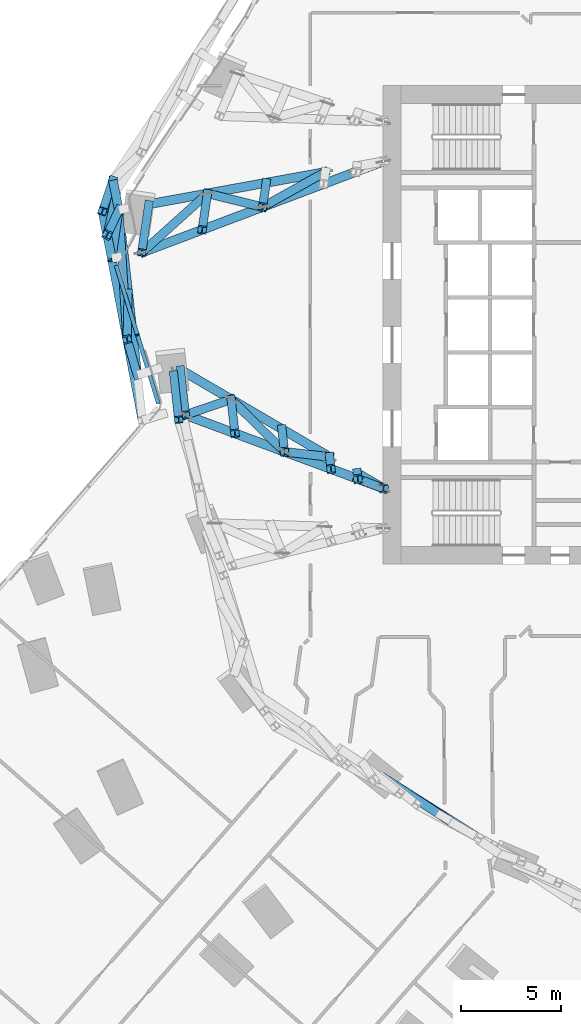
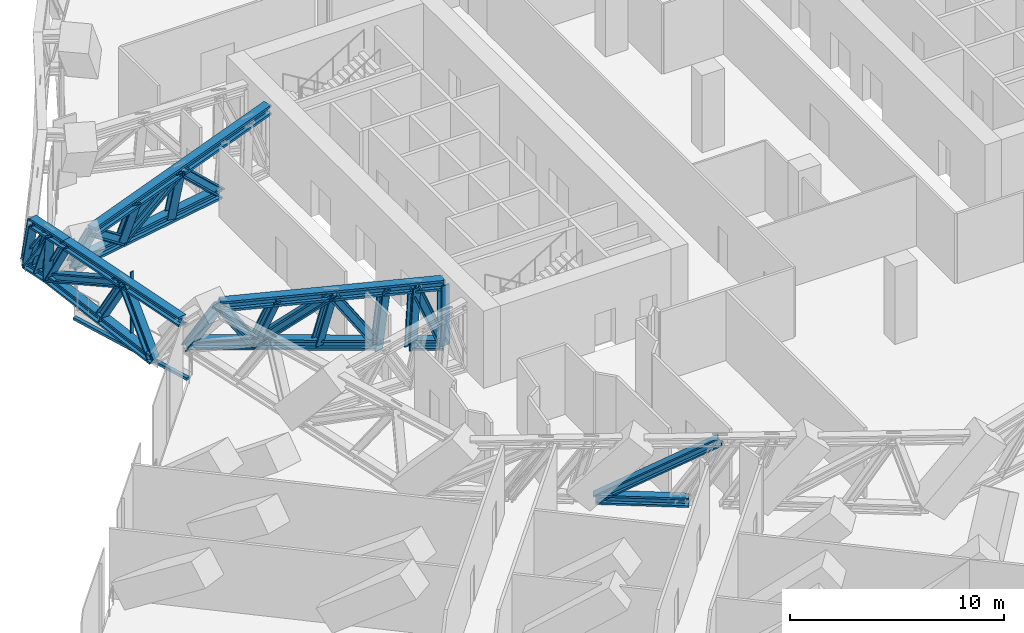
# One storey, part 7 of 34: 38 members, 1 element without a shape of its own.
"""IFC4 building model written with IfcOpenShell, lengths in metres."""

from ifc_helpers import new_model, si_unit, direction, frame, origin, origin_2d, place, context, subcontext, project, spatial, rectangle, i_section, extrude, material, material_profile, profile_set, type_object, element, aggregate, save


model = new_model("IFC4")

# Units and contexts
model_context = context("Model", 3, precision=1e-05, world=origin(), true_north=direction((0.0, 1.0)))
body_context = subcontext(model_context, "Body", "Model", "MODEL_VIEW")
ifc_project = project(units=[si_unit("LENGTHUNIT", "METRE"), si_unit("AREAUNIT", "SQUARE_METRE"), si_unit("VOLUMEUNIT", "CUBIC_METRE"), si_unit("PLANEANGLEUNIT", "RADIAN"), si_unit("MASSUNIT", "GRAM", prefix="KILO")], contexts=[model_context])

# Site, building, storey
site_placement = place(None, origin())
site = spatial("IfcSite", under=ifc_project, at=site_placement, CompositionType="ELEMENT")
building_placement = place(site_placement, origin())
building = spatial("IfcBuilding", under=site, at=building_placement, Name="Orlundy Tower", CompositionType="ELEMENT")
storey_placement = place(building_placement, frame((0.0, 0.0, 76.300048828125)))
storey = spatial("IfcBuildingStorey", under=building, at=storey_placement, Name="L18", CompositionType="ELEMENT", Elevation=76.300048828125)

# Members
ifc_material_1 = material(Name="Steel ASTM A992 Gr 50", Category="steel")
ifc_material_profile_1 = material_profile(ifc_material_1, i_section(OverallWidth=0.4423828125, OverallDepth=0.531494140625, WebThickness=0.06591796875, FlangeThickness=0.105712890625, at=origin_2d()), Name="W14X605")
ifc_profile_set_1 = profile_set([ifc_material_profile_1], Name="Steel ASTM A992 Gr 50")
member_type_1 = type_object("IfcMemberType", Name="BELT TRUSS chord W14X605", PredefinedType="CHORD", material=ifc_profile_set_1)
member_1_placement = place(storey_placement, frame((-19.1044921875, -22.6162109375, 0.28466796875), z_axis=(0.835836527574, -0.548978414122, 0.0), x_axis=(0.548978414122, 0.835836527574, 0.0)))
element("IfcMember", 1, at=member_1_placement, inside=storey, type_object=member_type_1, Name="Belt truss bottom chord BT-04", PredefinedType="CHORD", context=body_context, shape_type="SweptSolid", body=[
    extrude(i_section(OverallWidth=0.4423828125, OverallDepth=0.531494140625, WebThickness=0.06591796875, FlangeThickness=0.105712890625, at=origin_2d()), origin(), (0.0, 0.0, 1.0), 4.3720703125),
])
member_2_placement = place(storey_placement, frame((-32.548095703125, 7.258056640625, 0.28466796875), z_axis=(0.196423729676, -0.980519106606, 0.0), x_axis=(0.980519106606, 0.196423729676, 0.0)))
element("IfcMember", 2, at=member_2_placement, inside=storey, type_object=member_type_1, Name="Belt truss bottom chord BT-23B", PredefinedType="CHORD", context=body_context, shape_type="SweptSolid", body=[
    extrude(i_section(OverallWidth=0.4423828125, OverallDepth=0.531494140625, WebThickness=0.06591796875, FlangeThickness=0.105712890625, at=origin_2d()), origin(), (0.0, 0.0, 1.0), 1.5263671875),
])
member_3_placement = place(storey_placement, frame((-33.0771484375, 5.697265625, 3.715087890625), z_axis=(0.19642782885, -0.980518285425, 0.0), x_axis=(0.980518285425, 0.19642782885, 0.0)))
element("IfcMember", 3, at=member_3_placement, inside=storey, type_object=member_type_1, Name="Belt truss top chord BT-23B", PredefinedType="CHORD", context=body_context, shape_type="SweptSolid", body=[
    extrude(i_section(OverallWidth=0.4423828125, OverallDepth=0.531494140625, WebThickness=0.06591796875, FlangeThickness=0.105712890625, at=origin_2d()), origin(), (0.0, 0.0, 1.0), 2.409912109375),
])
member_4_placement = place(storey_placement, frame((-32.248291015625, 5.761474609375, 0.28466796875), z_axis=(0.111329565427, -0.993783541754, 0.0), x_axis=(0.993783541754, 0.111329565427, 0.0)))
element("IfcMember", 4, at=member_4_placement, inside=storey, type_object=member_type_1, Name="Belt truss bottom chord BT-24A", PredefinedType="CHORD", context=body_context, shape_type="SweptSolid", body=[
    extrude(i_section(OverallWidth=0.4423828125, OverallDepth=0.531494140625, WebThickness=0.06591796875, FlangeThickness=0.105712890625, at=origin_2d()), origin(), (0.0, 0.0, 1.0), 8.324462890625),
])
member_5_placement = place(storey_placement, frame((-32.603759765625, 3.334228515625, 3.715087890625), z_axis=(0.185547816598, -0.98263523637, 0.0), x_axis=(0.98263523637, 0.185547816598, 0.0)))
element("IfcMember", 5, at=member_5_placement, inside=storey, type_object=member_type_1, Name="Belt truss top chord BT-24A", PredefinedType="CHORD", context=body_context, shape_type="SweptSolid", body=[
    extrude(i_section(OverallWidth=0.4423828125, OverallDepth=0.531494140625, WebThickness=0.06591796875, FlangeThickness=0.105712890625, at=origin_2d()), origin(), (0.0, 0.0, 1.0), 8.26318359375),
])
ifc_material_2 = material(Name="Steel ASTM A992 Gr 50", Category="steel")
ifc_material_profile_2 = material_profile(ifc_material_2, i_section(OverallWidth=0.42431640625, OverallDepth=0.47412109375, WebThickness=0.0478515625, FlangeThickness=0.0771484375, at=origin_2d()), Name="W14X426")
ifc_profile_set_2 = profile_set([ifc_material_profile_2], Name="Steel ASTM A992 Gr 50")
member_type_2 = type_object("IfcMemberType", Name="BELT TRUSS diagonal W14X426", PredefinedType="BRACE", material=ifc_profile_set_2)
member_6_placement = place(storey_placement, frame((-19.1044921875, -22.6162109375, 0.28466796875), z_axis=(0.727742897786, -0.4607061642, 0.508074900964), x_axis=(0.534888272757, 0.844922798643, 0.0)))
element("IfcMember", 6, at=member_6_placement, inside=storey, type_object=member_type_2, Name="Belt truss diagonal BT-04-0", PredefinedType="BRACE", context=body_context, shape_type="SweptSolid", body=[
    extrude(i_section(OverallWidth=0.42431640625, OverallDepth=0.47412109375, WebThickness=0.0478515625, FlangeThickness=0.0771484375, at=origin_2d()), origin(), (0.0, 0.0, 1.0), 6.751708984375),
])
member_7_placement = place(storey_placement, frame((-32.548095703125, 7.258056640625, 0.28466796875), z_axis=(-0.066450667917, -0.62301661272, 0.779380913936), x_axis=(0.994359947478, -0.106057978728, 0.0)))
element("IfcMember", 7, at=member_7_placement, inside=storey, type_object=member_type_2, Name="Belt truss diagonal BT-23B-0", PredefinedType="BRACE", context=body_context, shape_type="SweptSolid", body=[
    extrude(i_section(OverallWidth=0.42431640625, OverallDepth=0.47412109375, WebThickness=0.0478515625, FlangeThickness=0.0771484375, at=origin_2d()), origin(), (0.0, 0.0, 1.0), 4.4013671875),
])
member_8_placement = place(storey_placement, frame((-32.840576171875, 4.515869140625, 3.715087890625), z_axis=(0.160193450531, 0.336894882362, -0.927814580962), x_axis=(-0.903102495865, 0.429425059774, 0.0)))
element("IfcMember", 8, at=member_8_placement, inside=storey, type_object=member_type_2, Name="Belt truss diagonal BT-23B-1", PredefinedType="BRACE", context=body_context, shape_type="SweptSolid", body=[
    extrude(i_section(OverallWidth=0.42431640625, OverallDepth=0.47412109375, WebThickness=0.0478515625, FlangeThickness=0.0771484375, at=origin_2d()), origin(), (0.0, 0.0, 1.0), 3.697265625),
])
member_9_placement = place(storey_placement, frame((-32.248291015625, 5.761474609375, 0.28466796875), z_axis=(0.055938370543, -0.882623778924, 0.466739931416), x_axis=(0.997997684716, 0.063250464832, 0.0)))
element("IfcMember", 9, at=member_9_placement, inside=storey, type_object=member_type_2, Name="Belt truss diagonal BT-24A-0", PredefinedType="BRACE", context=body_context, shape_type="SweptSolid", body=[
    extrude(i_section(OverallWidth=0.42431640625, OverallDepth=0.47412109375, WebThickness=0.0478515625, FlangeThickness=0.0771484375, at=origin_2d()), origin(), (0.0, 0.0, 1.0), 7.349853515625),
])
member_10_placement = place(storey_placement, frame((-31.837158203125, -0.7255859375, 3.715087890625), z_axis=(0.132158649209, -0.457674413026, -0.879242982969), x_axis=(0.96074686581, 0.277426494475, 0.0)))
element("IfcMember", 10, at=member_10_placement, inside=storey, type_object=member_type_2, Name="Belt truss diagonal BT-24A-1", PredefinedType="BRACE", context=body_context, shape_type="SweptSolid", body=[
    extrude(i_section(OverallWidth=0.42431640625, OverallDepth=0.47412109375, WebThickness=0.0478515625, FlangeThickness=0.0771484375, at=origin_2d()), origin(), (0.0, 0.0, 1.0), 3.901611328125),
])
ifc_material_3 = material(Name="Steel ASTM A992 Gr 50", Category="steel")
ifc_material_profile_3 = material_profile(ifc_material_3, i_section(OverallWidth=0.412109375, OverallDepth=0.434814453125, WebThickness=0.035888671875, FlangeThickness=0.057373046875, at=origin_2d()), Name="W14X311")
ifc_profile_set_3 = profile_set([ifc_material_profile_3], Name="Steel ASTM A992 Gr 50")
member_type_3 = type_object("IfcMemberType", Name="BELT TRUSS post W14X311", PredefinedType="POST", material=ifc_profile_set_3)
member_11_placement = place(storey_placement, frame((-29.500244140625, -2.482666015625, 0.28466796875), z_axis=(0.060864081742, -0.551565939214, 0.831907794321), x_axis=(0.993966725917, 0.109682030297, 0.0)))
element("IfcMember", 11, at=member_11_placement, inside=storey, type_object=member_type_3, Name="Belt truss post BT-01-0", PredefinedType="POST", context=body_context, shape_type="SweptSolid", body=[
    extrude(i_section(OverallWidth=0.412109375, OverallDepth=0.434814453125, WebThickness=0.035888671875, FlangeThickness=0.057373046875, at=origin_2d()), origin(), (0.0, 0.0, 1.0), 4.12353515625),
])
member_12_placement = place(storey_placement, frame((-32.548095703125, 7.258056640625, 0.28466796875), z_axis=(-0.139013990377, -0.410113724264, 0.901377747479), x_axis=(0.947071223234, -0.321023516463, 0.0)))
element("IfcMember", 12, at=member_12_placement, inside=storey, type_object=member_type_3, Name="Belt truss post BT-23A-2", PredefinedType="POST", context=body_context, shape_type="SweptSolid", body=[
    extrude(i_section(OverallWidth=0.412109375, OverallDepth=0.434814453125, WebThickness=0.035888671875, FlangeThickness=0.057373046875, at=origin_2d()), origin(), (0.0, 0.0, 1.0), 3.8056640625),
])
member_13_placement = place(storey_placement, frame((-32.398193359375, 6.509765625, 0.28466796875), z_axis=(-0.110806760448, -0.499425393255, 0.859241606541), x_axis=(0.976260133343, -0.216601366673, 0.0)))
element("IfcMember", 13, at=member_13_placement, inside=storey, type_object=member_type_3, Name="Belt truss post BT-23B-1", PredefinedType="POST", context=body_context, shape_type="SweptSolid", body=[
    extrude(i_section(OverallWidth=0.412109375, OverallDepth=0.434814453125, WebThickness=0.035888671875, FlangeThickness=0.057373046875, at=origin_2d()), origin(), (0.0, 0.0, 1.0), 3.992431640625),
])
member_14_placement = place(storey_placement, frame((-32.248291015625, 5.761474609375, 0.28466796875), z_axis=(-0.084288127113, -0.575544340493, 0.81341516076), x_axis=(0.98944575648, -0.144903743858, 0.0)))
element("IfcMember", 14, at=member_14_placement, inside=storey, type_object=member_type_3, Name="Belt truss post BT-23B-2", PredefinedType="POST", context=body_context, shape_type="SweptSolid", body=[
    extrude(i_section(OverallWidth=0.412109375, OverallDepth=0.434814453125, WebThickness=0.035888671875, FlangeThickness=0.057373046875, at=origin_2d()), origin(), (0.0, 0.0, 1.0), 4.21728515625),
])
member_15_placement = place(storey_placement, frame((-31.784912109375, 1.625, 0.28466796875), z_axis=(-0.012562727533, -0.565205330327, 0.824854600792), x_axis=(0.999753075315, -0.022221350033, 0.0)))
element("IfcMember", 15, at=member_15_placement, inside=storey, type_object=member_type_3, Name="Belt truss post BT-24A-1", PredefinedType="POST", context=body_context, shape_type="SweptSolid", body=[
    extrude(i_section(OverallWidth=0.412109375, OverallDepth=0.434814453125, WebThickness=0.035888671875, FlangeThickness=0.057373046875, at=origin_2d()), origin(), (0.0, 0.0, 1.0), 4.158935546875),
])

# Curtain wall, members
ifc_material_4 = material(Name="Aluminium bronze anodised", Category="aluminium")
curtain_wall_type = type_object("IfcCurtainWallType", Name="CW4 wall", PredefinedType="NOTDEFINED", material=ifc_material_4)
curtain_wall_placement = place(storey_placement, origin())
curtain_wall = element("IfcCurtainWall", 16, at=curtain_wall_placement, inside=storey, type_object=curtain_wall_type, Name="CW4 run 043", PredefinedType="NOTDEFINED")
ifc_material_5 = material(Name="Aluminium bronze anodised", Category="aluminium")
ifc_material_profile_4 = material_profile(ifc_material_5, rectangle(XDim=0.199951171875, YDim=0.06005859375, at=origin_2d()), Name="CW4 mullion 60x200")
ifc_profile_set_4 = profile_set([ifc_material_profile_4], Name="Aluminium bronze anodised")
member_type_4 = type_object("IfcMemberType", Name="CW4 mullion 60x200", PredefinedType="MULLION", material=ifc_profile_set_4)
member_16_placement = place(storey_placement, frame((-31.319580078125, -0.50830078125, -0.449951171875), z_axis=(0.0, 0.0, 1.0), x_axis=(-0.956295736998, -0.2924012028, 0.0)))
member_16 = element("IfcMember", 17, at=member_16_placement, type_object=member_type_4, Name="CW4 mullion 76", PredefinedType="MULLION", context=body_context, shape_type="SweptSolid", body=[
    extrude(rectangle(XDim=0.199951171875, YDim=0.06005859375, at=origin_2d()), origin(), (0.0, 0.0, 1.0), 4.449951171875),
])
ifc_material_6 = material(Name="Aluminium bronze anodised", Category="aluminium")
ifc_material_profile_5 = material_profile(ifc_material_6, rectangle(XDim=0.199951171875, YDim=0.14990234375, at=origin_2d()), Name="CW4 transom 200x150")
ifc_profile_set_5 = profile_set([ifc_material_profile_5], Name="Aluminium bronze anodised")
member_type_5 = type_object("IfcMemberType", Name="CW4 transom 200x150", PredefinedType="USERDEFINED", material=ifc_profile_set_5)
member_17_placement = place(storey_placement, frame((-30.26708984375, -3.950439453125, -0.375), z_axis=(-0.292413466884, 0.956291986992, 0.0), x_axis=(-0.956291986992, -0.292413466884, 0.0)))
member_17 = element("IfcMember", 18, at=member_17_placement, type_object=member_type_5, Name="CW4 transom", ObjectType="TRANSOM", PredefinedType="USERDEFINED", context=body_context, shape_type="SweptSolid", body=[
    extrude(rectangle(XDim=0.199951171875, YDim=0.14990234375, at=origin_2d()), origin(), (0.0, 0.0, 1.0), 7.254638671875),
])
aggregate(curtain_wall, [member_16, member_17])

# Members
ifc_material_7 = material(Name="Steel ASTM A992 Gr 50", Category="steel")
ifc_material_profile_6 = material_profile(ifc_material_7, i_section(OverallWidth=0.454345703125, OverallDepth=0.569580078125, WebThickness=0.077880859375, FlangeThickness=0.124755859375, at=origin_2d()), Name="W14X730")
ifc_profile_set_6 = profile_set([ifc_material_profile_6], Name="Steel ASTM A992 Gr 50")
member_type_6 = type_object("IfcMemberType", Name="OUTRIGGER TRUSS chord W14X730", PredefinedType="CHORD", material=ifc_profile_set_6)
member_18_placement = place(storey_placement, frame((-18.97998046875, -8.199951171875, 0.28466796875), z_axis=(-0.86316395216, 0.504923748394, 0.0), x_axis=(-0.504923748394, -0.86316395216, 0.0)))
element("IfcMember", 19, at=member_18_placement, inside=storey, type_object=member_type_6, Name="Outrigger truss bottom chord OR-W-C-H15", PredefinedType="CHORD", context=body_context, shape_type="SweptSolid", body=[
    extrude(i_section(OverallWidth=0.454345703125, OverallDepth=0.569580078125, WebThickness=0.077880859375, FlangeThickness=0.124755859375, at=origin_2d()), origin(), (0.0, 0.0, 1.0), 1.52783203125),
])
member_19_placement = place(storey_placement, frame((-21.679931640625, -6.62060546875, 0.28466796875), z_axis=(-0.863158432563, 0.504933183992, 0.0), x_axis=(-0.504933183992, -0.863158432563, 0.0)))
element("IfcMember", 20, at=member_19_placement, inside=storey, type_object=member_type_6, Name="Outrigger truss bottom chord OR-W-C-H152", PredefinedType="CHORD", context=body_context, shape_type="SweptSolid", body=[
    extrude(i_section(OverallWidth=0.454345703125, OverallDepth=0.569580078125, WebThickness=0.077880859375, FlangeThickness=0.124755859375, at=origin_2d()), origin(), (0.0, 0.0, 1.0), 8.671875),
])
member_20_placement = place(storey_placement, frame((-18.97998046875, -8.199951171875, 3.715087890625), z_axis=(-0.937616383517, 0.34767156536, 0.0), x_axis=(-0.34767156536, -0.937616383517, 0.0)))
element("IfcMember", 21, at=member_20_placement, inside=storey, type_object=member_type_6, Name="Outrigger truss top chord OR-W-C-H15", PredefinedType="CHORD", context=body_context, shape_type="SweptSolid", body=[
    extrude(i_section(OverallWidth=0.454345703125, OverallDepth=0.569580078125, WebThickness=0.077880859375, FlangeThickness=0.124755859375, at=origin_2d()), origin(), (0.0, 0.0, 1.0), 10.594970703125),
])
member_21_placement = place(storey_placement, frame((-21.893798828125, 7.66845703125, 0.28466796875), z_axis=(-0.983758206816, -0.179498720116, 0.0), x_axis=(0.179498720116, -0.983758206816, 0.0)))
element("IfcMember", 22, at=member_21_placement, inside=storey, type_object=member_type_6, Name="Outrigger truss bottom chord OR-W-C-H162", PredefinedType="CHORD", context=body_context, shape_type="SweptSolid", body=[
    extrude(i_section(OverallWidth=0.454345703125, OverallDepth=0.569580078125, WebThickness=0.077880859375, FlangeThickness=0.124755859375, at=origin_2d()), origin(), (0.0, 0.0, 1.0), 9.002685546875),
])
member_22_placement = place(storey_placement, frame((-18.97998046875, 8.199951171875, 3.715087890625), z_axis=(-0.935634471822, -0.352970445135, 0.0), x_axis=(0.352970445135, -0.935634471822, 0.0)))
element("IfcMember", 23, at=member_22_placement, inside=storey, type_object=member_type_6, Name="Outrigger truss top chord OR-W-C-H16", PredefinedType="CHORD", context=body_context, shape_type="SweptSolid", body=[
    extrude(i_section(OverallWidth=0.454345703125, OverallDepth=0.569580078125, WebThickness=0.077880859375, FlangeThickness=0.124755859375, at=origin_2d()), origin(), (0.0, 0.0, 1.0), 12.9599609375),
])
ifc_material_8 = material(Name="Steel ASTM A992 Gr 50", Category="steel")
ifc_material_profile_7 = material_profile(ifc_material_8, i_section(OverallWidth=0.43212890625, OverallDepth=0.497802734375, WebThickness=0.0556640625, FlangeThickness=0.0888671875, at=origin_2d()), Name="W14X500")
ifc_profile_set_7 = profile_set([ifc_material_profile_7], Name="Steel ASTM A992 Gr 50")
member_type_7 = type_object("IfcMemberType", Name="OUTRIGGER TRUSS diagonal W14X500", PredefinedType="BRACE", material=ifc_profile_set_7)
member_23_placement = place(storey_placement, frame((-18.97998046875, -8.199951171875, 0.28466796875), z_axis=(-0.348176899058, 0.129120831421, 0.928493757575), x_axis=(-0.347708427301, -0.937602714151, 0.0)))
element("IfcMember", 24, at=member_23_placement, inside=storey, type_object=member_type_7, Name="Outrigger truss diagonal OR-W-C-H15-0", PredefinedType="BRACE", context=body_context, shape_type="SweptSolid", body=[
    extrude(i_section(OverallWidth=0.43212890625, OverallDepth=0.497802734375, WebThickness=0.0556640625, FlangeThickness=0.0888671875, at=origin_2d()), origin(), (0.0, 0.0, 1.0), 3.694580078125),
])
member_24_placement = place(storey_placement, frame((-21.679931640625, -6.62060546875, 0.28466796875), z_axis=(-0.550232794328, 0.063698067403, 0.832578181467), x_axis=(-0.114997651921, -0.993365763479, 0.0)))
element("IfcMember", 25, at=member_24_placement, inside=storey, type_object=member_type_7, Name="Outrigger truss diagonal OR-W-C-H15-2", PredefinedType="BRACE", context=body_context, shape_type="SweptSolid", body=[
    extrude(i_section(OverallWidth=0.43212890625, OverallDepth=0.497802734375, WebThickness=0.0556640625, FlangeThickness=0.0888671875, at=origin_2d()), origin(), (0.0, 0.0, 1.0), 4.1201171875),
])
member_25_placement = place(storey_placement, frame((-23.947021484375, -6.358154296875, 3.715087890625), z_axis=(-0.525960695857, 0.517069730147, -0.675280860516), x_axis=(-0.701053815457, -0.713108370329, 0.0)))
element("IfcMember", 26, at=member_25_placement, inside=storey, type_object=member_type_7, Name="Outrigger truss diagonal OR-W-C-H15-3", PredefinedType="BRACE", context=body_context, shape_type="SweptSolid", body=[
    extrude(i_section(OverallWidth=0.43212890625, OverallDepth=0.497802734375, WebThickness=0.0556640625, FlangeThickness=0.0888671875, at=origin_2d()), origin(), (0.0, 0.0, 1.0), 5.080078125),
])
member_26_placement = place(storey_placement, frame((-26.618896484375, -3.7314453125, 0.28466796875), z_axis=(-0.546287660289, -0.186822128266, 0.816496959337), x_axis=(0.32358571807, -0.946198860209, 0.0)))
element("IfcMember", 27, at=member_26_placement, inside=storey, type_object=member_type_7, Name="Outrigger truss diagonal OR-W-C-H15-4", PredefinedType="BRACE", context=body_context, shape_type="SweptSolid", body=[
    extrude(i_section(OverallWidth=0.43212890625, OverallDepth=0.497802734375, WebThickness=0.0556640625, FlangeThickness=0.0888671875, at=origin_2d()), origin(), (0.0, 0.0, 1.0), 4.201416015625),
])
member_27_placement = place(storey_placement, frame((-21.893798828125, 7.66845703125, 0.28466796875), z_axis=(-0.632786661033, -0.352769120047, 0.689300362367), x_axis=(0.486930244788, -0.873440860454, 0.0)))
element("IfcMember", 28, at=member_27_placement, inside=storey, type_object=member_type_7, Name="Outrigger truss diagonal OR-W-C-H16-2", PredefinedType="BRACE", context=body_context, shape_type="SweptSolid", body=[
    extrude(i_section(OverallWidth=0.43212890625, OverallDepth=0.497802734375, WebThickness=0.0556640625, FlangeThickness=0.0888671875, at=origin_2d()), origin(), (0.0, 0.0, 1.0), 4.9765625),
])
member_28_placement = place(storey_placement, frame((-25.04296875, 5.912841796875, 3.715087890625), z_axis=(-0.620227787669, 0.151825452792, -0.769588541552), x_axis=(-0.237769639764, -0.971321573119, 0.0)))
element("IfcMember", 29, at=member_28_placement, inside=storey, type_object=member_type_7, Name="Outrigger truss diagonal OR-W-C-H16-3", PredefinedType="BRACE", context=body_context, shape_type="SweptSolid", body=[
    extrude(i_section(OverallWidth=0.43212890625, OverallDepth=0.497802734375, WebThickness=0.0556640625, FlangeThickness=0.0888671875, at=origin_2d()), origin(), (0.0, 0.0, 1.0), 4.45751953125),
])
member_29_placement = place(storey_placement, frame((-27.8076171875, 6.589599609375, 0.28466796875), z_axis=(-0.588278485403, -0.528705980552, 0.611881042149), x_axis=(0.668444418094, -0.743762099006, 0.0)))
element("IfcMember", 30, at=member_29_placement, inside=storey, type_object=member_type_7, Name="Outrigger truss diagonal OR-W-C-H16-4", PredefinedType="BRACE", context=body_context, shape_type="SweptSolid", body=[
    extrude(i_section(OverallWidth=0.43212890625, OverallDepth=0.497802734375, WebThickness=0.0556640625, FlangeThickness=0.0888671875, at=origin_2d()), origin(), (0.0, 0.0, 1.0), 5.6064453125),
])
ifc_material_9 = material(Name="Steel ASTM A992 Gr 50", Category="steel")
ifc_material_profile_8 = material_profile(ifc_material_9, i_section(OverallWidth=0.41845703125, OverallDepth=0.455078125, WebThickness=0.0419921875, FlangeThickness=0.067626953125, at=origin_2d()), Name="W14X370")
ifc_profile_set_8 = profile_set([ifc_material_profile_8], Name="Steel ASTM A992 Gr 50")
member_type_8 = type_object("IfcMemberType", Name="OUTRIGGER TRUSS post W14X370", PredefinedType="POST", material=ifc_profile_set_8)
member_30_placement = place(storey_placement, frame((-18.97998046875, -8.199951171875, 0.28466796875), z_axis=(0.0, 0.0, 1.0), x_axis=(1.0, 0.0, 0.0)))
element("IfcMember", 31, at=member_30_placement, inside=storey, type_object=member_type_8, Name="Outrigger truss post OR-W-C-H15-0", PredefinedType="POST", context=body_context, shape_type="SweptSolid", body=[
    extrude(i_section(OverallWidth=0.41845703125, OverallDepth=0.455078125, WebThickness=0.0419921875, FlangeThickness=0.067626953125, at=origin_2d()), origin(), (0.0, 0.0, 1.0), 3.430419921875),
])
member_31_placement = place(storey_placement, frame((-20.298828125, -7.428466796875, 0.0), z_axis=(0.008712573519, -0.079002734315, 0.996836325097), x_axis=(0.993973861166, 0.109617349532, 0.0)))
element("IfcMember", 32, at=member_31_placement, inside=storey, type_object=member_type_8, Name="Outrigger truss post OR-W-C-H15-1", PredefinedType="POST", context=body_context, shape_type="SweptSolid", body=[
    extrude(i_section(OverallWidth=0.41845703125, OverallDepth=0.455078125, WebThickness=0.0419921875, FlangeThickness=0.067626953125, at=origin_2d()), origin(), (0.0, 0.0, 1.0), 3.726806640625),
])
member_32_placement = place(storey_placement, frame((-21.679931640625, -6.62060546875, 0.0), z_axis=(0.017706097985, -0.160133171885, 0.986936604527), x_axis=(0.993942505761, 0.109901297721, 0.0)))
element("IfcMember", 33, at=member_32_placement, inside=storey, type_object=member_type_8, Name="Outrigger truss post OR-W-C-H15-2", PredefinedType="POST", context=body_context, shape_type="SweptSolid", body=[
    extrude(i_section(OverallWidth=0.41845703125, OverallDepth=0.455078125, WebThickness=0.0419921875, FlangeThickness=0.067626953125, at=origin_2d()), origin(), (0.0, 0.0, 1.0), 3.76416015625),
])
member_33_placement = place(storey_placement, frame((-24.072509765625, -5.220947265625, 0.28466796875), z_axis=(0.034701876666, -0.314477318117, 0.948630484512), x_axis=(0.993966725917, 0.109682030297, 0.0)))
element("IfcMember", 34, at=member_33_placement, inside=storey, type_object=member_type_8, Name="Outrigger truss post OR-W-C-H15-3", PredefinedType="POST", context=body_context, shape_type="SweptSolid", body=[
    extrude(i_section(OverallWidth=0.41845703125, OverallDepth=0.455078125, WebThickness=0.0419921875, FlangeThickness=0.067626953125, at=origin_2d()), origin(), (0.0, 0.0, 1.0), 3.6162109375),
])
member_34_placement = place(storey_placement, frame((-26.618896484375, -3.7314453125, 0.28466796875), z_axis=(0.049136627961, -0.444711942438, 0.894324817975), x_axis=(0.993951207057, 0.109822575046, 0.0)))
element("IfcMember", 35, at=member_34_placement, inside=storey, type_object=member_type_8, Name="Outrigger truss post OR-W-C-H15-4", PredefinedType="POST", context=body_context, shape_type="SweptSolid", body=[
    extrude(i_section(OverallWidth=0.41845703125, OverallDepth=0.455078125, WebThickness=0.0419921875, FlangeThickness=0.067626953125, at=origin_2d()), origin(), (0.0, 0.0, 1.0), 3.835693359375),
])
member_35_placement = place(storey_placement, frame((-29.1650390625, -2.241943359375, 0.28466796875), z_axis=(0.060864081742, -0.551565939214, 0.831907794321), x_axis=(0.993966725917, 0.109682030297, 0.0)))
element("IfcMember", 36, at=member_35_placement, inside=storey, type_object=member_type_8, Name="Outrigger truss post OR-W-C-H15-5", PredefinedType="POST", context=body_context, shape_type="SweptSolid", body=[
    extrude(i_section(OverallWidth=0.41845703125, OverallDepth=0.455078125, WebThickness=0.0419921875, FlangeThickness=0.067626953125, at=origin_2d()), origin(), (0.0, 0.0, 1.0), 4.12353515625),
])
member_36_placement = place(storey_placement, frame((-24.864990234375, 7.126220703125, 0.28466796875), z_axis=(-0.048854385702, -0.333067622688, 0.941636451989), x_axis=(0.989413008657, -0.145127179741, 0.0)))
element("IfcMember", 37, at=member_36_placement, inside=storey, type_object=member_type_8, Name="Outrigger truss post OR-W-C-H16-3", PredefinedType="POST", context=body_context, shape_type="SweptSolid", body=[
    extrude(i_section(OverallWidth=0.41845703125, OverallDepth=0.455078125, WebThickness=0.0419921875, FlangeThickness=0.067626953125, at=origin_2d()), origin(), (0.0, 0.0, 1.0), 3.64306640625),
])
member_37_placement = place(storey_placement, frame((-27.8076171875, 6.589599609375, 0.28466796875), z_axis=(-0.06848919335, -0.46763317364, 0.881265252524), x_axis=(0.98944436323, -0.144913257061, 0.0)))
element("IfcMember", 38, at=member_37_placement, inside=storey, type_object=member_type_8, Name="Outrigger truss post OR-W-C-H16-4", PredefinedType="POST", context=body_context, shape_type="SweptSolid", body=[
    extrude(i_section(OverallWidth=0.41845703125, OverallDepth=0.455078125, WebThickness=0.0419921875, FlangeThickness=0.067626953125, at=origin_2d()), origin(), (0.0, 0.0, 1.0), 3.892578125),
])
member_38_placement = place(storey_placement, frame((-30.750244140625, 6.052490234375, 0.28466796875), z_axis=(-0.084290935456, -0.575505624564, 0.813442262423), x_axis=(0.989443666502, -0.144918014126, 0.0)))
element("IfcMember", 39, at=member_38_placement, inside=storey, type_object=member_type_8, Name="Outrigger truss post OR-W-C-H16-5", PredefinedType="POST", context=body_context, shape_type="SweptSolid", body=[
    extrude(i_section(OverallWidth=0.41845703125, OverallDepth=0.455078125, WebThickness=0.0419921875, FlangeThickness=0.067626953125, at=origin_2d()), origin(), (0.0, 0.0, 1.0), 4.21728515625),
])

save(model, "model.ifc")
